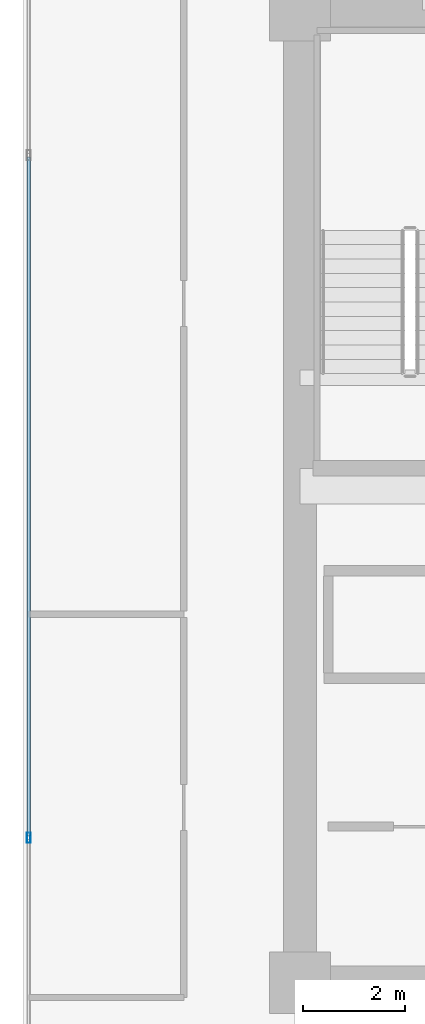
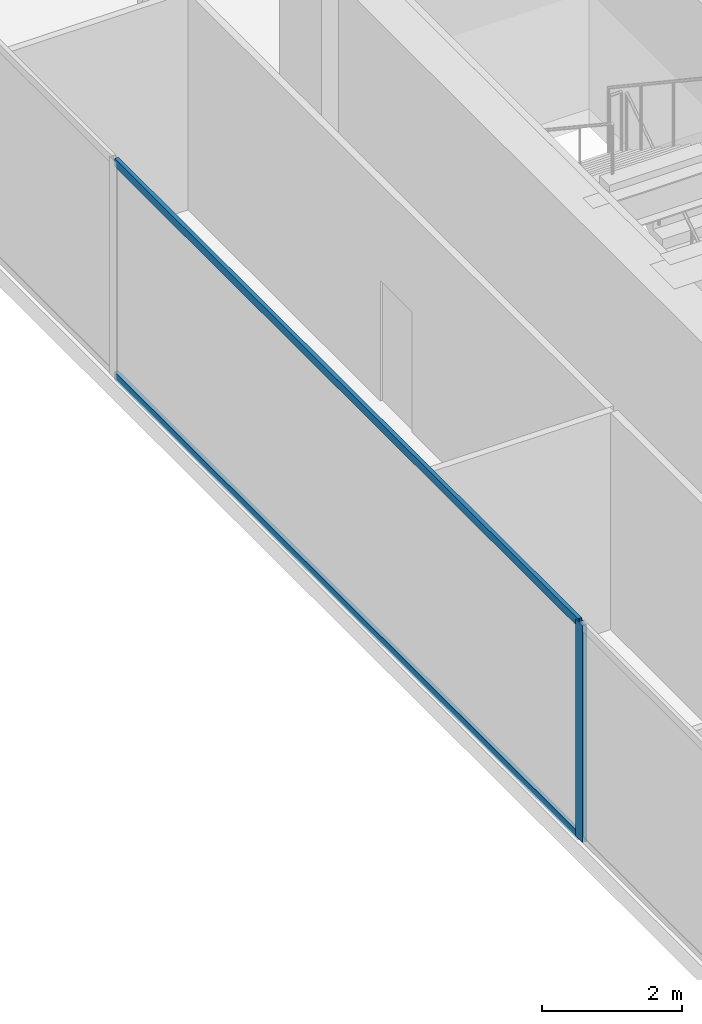
# One storey, part 6 of 30: 3 members, 1 element without a shape of its own.
"""IFC4 building model written with IfcOpenShell, lengths in metres."""

from ifc_helpers import new_model, si_unit, direction, frame, origin, origin_2d, place, context, subcontext, project, spatial, hollow_rectangle, extrude, source, transform, mapped, material, layer, layer_set, material_profile, profile_set, type_object, type_shapes, element, aggregate, save


model = new_model("IFC4")

# Units and contexts
model_context = context("Model", 3, precision=1e-05, world=origin(), true_north=direction((0.0, 1.0)))
body_context = subcontext(model_context, "Body", "Model", "MODEL_VIEW")
ifc_project = project(units=[si_unit("LENGTHUNIT", "METRE"), si_unit("AREAUNIT", "SQUARE_METRE"), si_unit("VOLUMEUNIT", "CUBIC_METRE"), si_unit("PLANEANGLEUNIT", "RADIAN"), si_unit("MASSUNIT", "GRAM", prefix="KILO")], contexts=[model_context])

# Site, building, storey
site_placement = place(None, origin())
site = spatial("IfcSite", under=ifc_project, at=site_placement, CompositionType="ELEMENT")
building_placement = place(site_placement, origin())
building = spatial("IfcBuilding", under=site, at=building_placement, Name="Haelvirn Gate Laboratories", CompositionType="ELEMENT")
storey_placement = place(building_placement, frame((0.0, 0.0, 125.60009765625)))
storey = spatial("IfcBuildingStorey", under=building, at=storey_placement, Name="L30", CompositionType="ELEMENT", Elevation=125.60009765625)

# Curtain wall, members
ifc_material_1 = material(Name="Anodised bronze unitised aluminium & triple low-E glass", Category="aluminium")
ifc_layer = layer(ifc_material_1, 0.179931640625, Name="CW-SYS-3")
ifc_layer_set = layer_set([ifc_layer], Name="Anodised bronze unitised aluminium & triple low-E glass")
curtain_wall_type = type_object("IfcCurtainWallType", Name="CW-SYS-3", PredefinedType="NOTDEFINED", material=ifc_layer_set)
curtain_wall_placement = place(storey_placement, origin())
curtain_wall = element("IfcCurtainWall", 1, at=curtain_wall_placement, inside=storey, type_object=curtain_wall_type, Name="L30 Unitised Curtain Wall CW-L30-P0-E17", PredefinedType="NOTDEFINED")
ifc_material_2 = material(Name="Extruded aluminium 6063-T6 (anodised bronze)", Category="aluminium")
ifc_material_profile_1 = material_profile(ifc_material_2, hollow_rectangle(XDim=0.06494140625, YDim=0.139892578125, WallThickness=0.00390625, at=origin_2d()), Name="CWT-140x65x4")
ifc_profile_set_1 = profile_set([ifc_material_profile_1], Name="Extruded aluminium 6063-T6 (anodised bronze)")
member_type_1 = type_object("IfcMemberType", Name="CWT-T140", PredefinedType="USERDEFINED", material=ifc_profile_set_1)
shared_shape_1 = source(origin(), body_context, "Body", "SweptSolid", [
    extrude(hollow_rectangle(XDim=0.06494140625, YDim=0.139892578125, WallThickness=0.00390625, at=origin_2d()), origin(), (0.0, 0.0, 1.0), 13.25830078125),
])
type_shapes(member_type_1, [shared_shape_1])
member_1_placement = place(storey_placement, frame((2.10009765625, 30.92919921875, 0.032470703125), z_axis=(0.0, -1.0, 0.0), x_axis=(1.0, 0.0, 0.0)))
member_1 = element("IfcMember", 2, at=member_1_placement, type_object=member_type_1, Name="CW3 transom 2.1", ObjectType="TRANSOM", PredefinedType="USERDEFINED", context=body_context, shape_type="MappedRepresentation", body=[
    mapped(shared_shape_1, transform((0.0, 0.0, 0.0), scale=1.0)),
])
member_2_placement = place(storey_placement, frame((2.10009765625, 30.92919921875, 3.75732421875), z_axis=(0.0, -1.0, 0.0), x_axis=(1.0, 0.0, 0.0)))
member_2 = element("IfcMember", 3, at=member_2_placement, type_object=member_type_1, Name="CW3 transom 2.2", ObjectType="TRANSOM", PredefinedType="USERDEFINED", context=body_context, shape_type="MappedRepresentation", body=[
    mapped(shared_shape_1, transform((0.0, 0.0, 0.0), scale=1.0)),
])
ifc_material_profile_2 = material_profile(ifc_material_2, hollow_rectangle(XDim=0.074951171875, YDim=0.199951171875, WallThickness=0.0048828125, at=origin_2d()), Name="CWM-200x75x5")
ifc_profile_set_2 = profile_set([ifc_material_profile_2], Name="Extruded aluminium 6063-T6 (anodised bronze)")
member_type_2 = type_object("IfcMemberType", Name="CWM-T200", PredefinedType="MULLION", material=ifc_profile_set_2)
shared_shape_2 = source(origin(), body_context, "Body", "SweptSolid", [
    extrude(hollow_rectangle(XDim=0.074951171875, YDim=0.199951171875, WallThickness=0.0048828125, at=origin_2d()), origin(), (0.0, 0.0, 1.0), 3.789794921875),
])
type_shapes(member_type_2, [shared_shape_2])
member_3_placement = place(storey_placement, frame((2.10009765625, 17.63330078125, 0.0), z_axis=(0.0, 0.0, 1.0), x_axis=(1.0, 0.0, 0.0)))
member_3 = element("IfcMember", 4, at=member_3_placement, type_object=member_type_2, Name="CW3 mullion 3", PredefinedType="MULLION", context=body_context, shape_type="MappedRepresentation", body=[
    mapped(shared_shape_2, transform((0.0, 0.0, 0.0), scale=1.0)),
])
aggregate(curtain_wall, [member_3, member_1, member_2])

save(model, "model.ifc")
